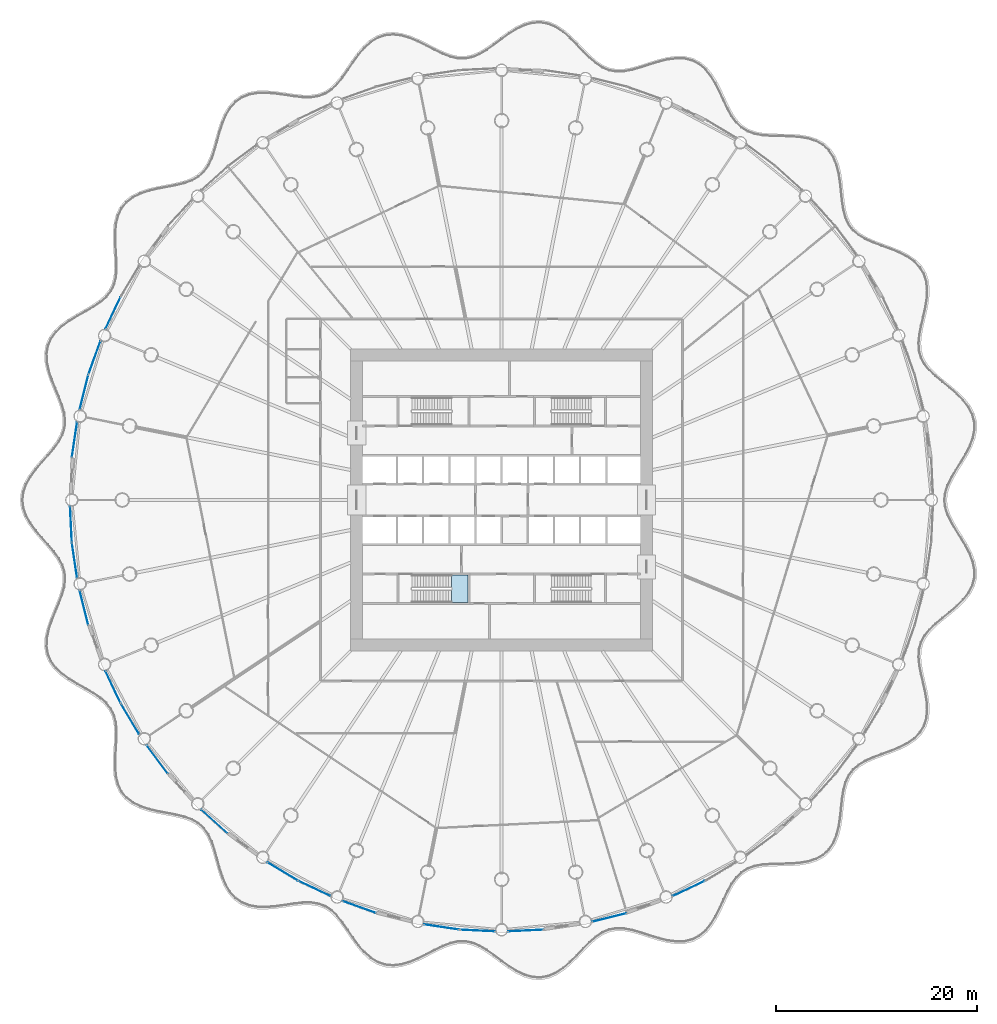
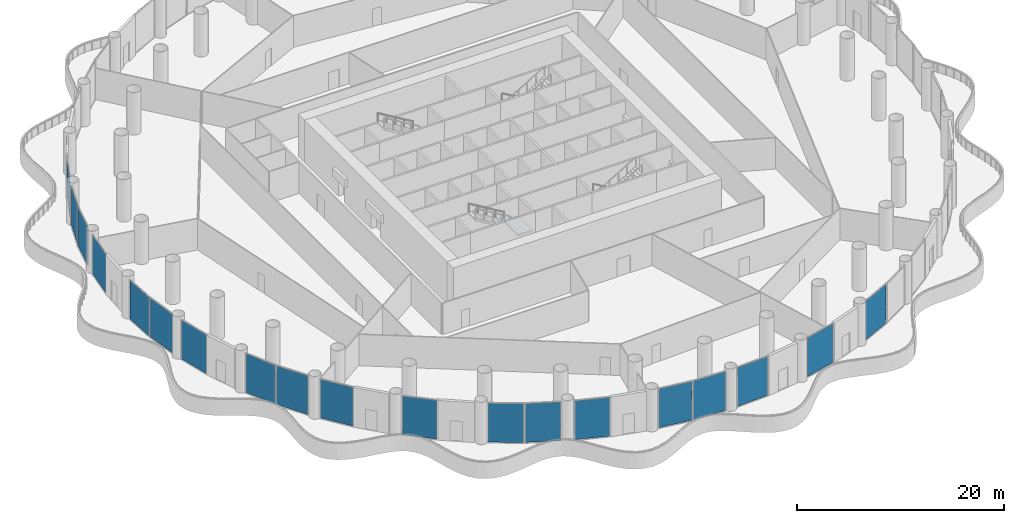
# One storey, part 19 of 35: 19 plates, 1 slab, 20 elements without a shape of their own.
"""IFC4 building model written with IfcOpenShell, lengths in metres."""

import ifcopenshell
import ifcopenshell.guid

model = None  # the IFC model being written
_history = None  # IfcOwnerHistory: only IFC2X3 demands one
_inside = {}  # id of a spatial element -> (the spatial element, [elements in it])
_under = {}  # id of a project, library or spatial element -> (it, [spatial elements below it])
_declared = {}  # id of a project -> (the project, [libraries it declares])
_typed = {}  # id of a type object -> (the type object, [elements of that type])
_made_of = {}  # id of a material, layer set ... -> (it, [elements and type objects made of it])


def new_model(schema):
    """Start an empty IFC model of exactly this schema.

    Asked for "IFC4X3", IfcOpenShell would pick the latest addendum, in which some entities
    have other attributes; the version numbers below select the first issue.
    IFC2X3 requires an IfcOwnerHistory on every rooted entity: one is made here for all.
    """
    global model, _history
    if schema == "IFC4X3":
        model = ifcopenshell.file(schema_version=(4, 3, 0, 0))
    else:
        model = ifcopenshell.file(schema=schema)
    _inside.clear()
    _under.clear()
    _declared.clear()
    _typed.clear()
    _made_of.clear()
    _history = None
    if model.schema == "IFC2X3":
        org = make("IfcOrganization", Name="unknown")
        user = make(
            "IfcPersonAndOrganization",
            ThePerson=make("IfcPerson", FamilyName="unknown"),
            TheOrganization=org,
        )
        app = make(
            "IfcApplication",
            ApplicationDeveloper=org,
            Version="unknown",
            ApplicationFullName="unknown",
            ApplicationIdentifier="unknown",
        )
        _history = make(
            "IfcOwnerHistory",
            OwningUser=user,
            OwningApplication=app,
            ChangeAction="ADDED",
            CreationDate=0,
        )
    return model


def make(cls, **values):
    """One entity of the class cls with the attributes given. An attribute that is None is left unset."""
    return model.create_entity(
        cls, **{name: value for name, value in values.items() if value is not None}
    )


def rooted(cls, **values):
    """An entity with a GlobalId (a new one), such as an element, a storey or a relation."""
    return make(cls, GlobalId=ifcopenshell.guid.new(), OwnerHistory=_history, **values)


def si_unit(unit_type, name, prefix=None):
    """IfcSIUnit, for example si_unit("LENGTHUNIT", "METRE", prefix="MILLI")."""
    return make("IfcSIUnit", UnitType=unit_type, Prefix=prefix, Name=name)


def assignment(units):
    """IfcUnitAssignment: the units of a project."""
    return None if units is None else make("IfcUnitAssignment", Units=units)


def point(xyz):
    """IfcCartesianPoint."""
    return None if xyz is None else make("IfcCartesianPoint", Coordinates=xyz)


def direction(xyz):
    """IfcDirection."""
    return None if xyz is None else make("IfcDirection", DirectionRatios=xyz)


def frame(location, z_axis=None, x_axis=None):
    """IfcAxis2Placement3D, a coordinate frame: its origin and axes. An axis left out is left unset."""
    return make(
        "IfcAxis2Placement3D",
        Location=point(location),
        Axis=direction(z_axis),
        RefDirection=direction(x_axis),
    )


def frame_2d(location, x_axis=None):
    """IfcAxis2Placement2D, a coordinate frame in the plane: its origin and x axis."""
    return make(
        "IfcAxis2Placement2D", Location=point(location), RefDirection=direction(x_axis)
    )


def origin():
    """The frame at (0, 0, 0) with its axes left unset."""
    return frame((0.0, 0.0, 0.0))


def origin_2d():
    """The frame at (0, 0) in the plane with its x axis left unset."""
    return frame_2d((0.0, 0.0))


def place(relative_to, where):
    """IfcLocalPlacement: puts the frame where relative to a parent placement (None: the world)."""
    return make(
        "IfcLocalPlacement", PlacementRelTo=relative_to, RelativePlacement=where
    )


def context(
    kind, dimensions, precision=None, world=None, true_north=None, identifier=None
):
    """IfcGeometricRepresentationContext, for example the 3D "Model" context."""
    return make(
        "IfcGeometricRepresentationContext",
        ContextIdentifier=identifier,
        ContextType=kind,
        CoordinateSpaceDimension=dimensions,
        Precision=precision,
        WorldCoordinateSystem=world,
        TrueNorth=true_north,
    )


def subcontext(parent, identifier, kind, view, scale=None):
    """IfcGeometricRepresentationSubContext, for example "Body" below "Model"."""
    return make(
        "IfcGeometricRepresentationSubContext",
        ContextIdentifier=identifier,
        ContextType=kind,
        ParentContext=parent,
        TargetScale=scale,
        TargetView=view,
    )


def project(units=None, contexts=None):
    """IfcProject with its units and contexts."""
    return rooted(
        "IfcProject",
        Name="project",
        RepresentationContexts=contexts,
        UnitsInContext=assignment(units),
    )


def spatial(cls, under=None, at=None, **own):
    """A site, building, storey or space (cls), placed at a placement, below another one or the project."""
    s = rooted(cls, ObjectPlacement=at, **own)
    if under is not None:
        _under.setdefault(under.id(), (under, []))[1].append(s)
    return s


def polyline(points):
    """IfcPolyline through the points."""
    return make("IfcPolyline", Points=[point(p) for p in points])


def profile(cls, at=None, kind="AREA", **sizes):
    """A parametric profile (cls). Its sizes go by their IFC names, for example OverallWidth=200.0."""
    return make(cls, ProfileType=kind, Position=at, **sizes)


def rectangle(**sizes):
    """IfcRectangleProfileDef."""
    return profile("IfcRectangleProfileDef", **sizes)


def outline(outer, holes=None, kind="AREA"):
    """IfcArbitraryClosedProfileDef: a profile drawn as a closed curve; with holes, ...WithVoids."""
    if holes is None:
        return make("IfcArbitraryClosedProfileDef", ProfileType=kind, OuterCurve=outer)
    return make(
        "IfcArbitraryProfileDefWithVoids",
        ProfileType=kind,
        OuterCurve=outer,
        InnerCurves=holes,
    )


def extrude(swept, where, along, depth):
    """IfcExtrudedAreaSolid: the profile swept, set in the frame where, extruded along a direction by depth."""
    return make(
        "IfcExtrudedAreaSolid",
        SweptArea=swept,
        Position=where,
        ExtrudedDirection=direction(along),
        Depth=depth,
    )


def shape(context_of_items, identifier, shape_type, items):
    """IfcShapeRepresentation: the items that make up one representation, for example the "Body"."""
    return make(
        "IfcShapeRepresentation",
        ContextOfItems=context_of_items,
        RepresentationIdentifier=identifier,
        RepresentationType=shape_type,
        Items=items,
    )


def material(Name=None, Category=None):
    """IfcMaterial."""
    return make("IfcMaterial", Name=Name, Category=Category)


def layer(
    of_material, thickness, ventilated=None, Name=None, Category=None, Priority=None
):
    """IfcMaterialLayer: one layer of a wall or slab, of a material (None: an air gap)."""
    return make(
        "IfcMaterialLayer",
        Material=of_material,
        LayerThickness=thickness,
        IsVentilated=ventilated,
        Name=Name,
        Category=Category,
        Priority=Priority,
    )


def layer_set(layers, Name=None):
    """IfcMaterialLayerSet."""
    return make("IfcMaterialLayerSet", MaterialLayers=layers, LayerSetName=Name)


def made_of(thing, what):
    """Note that an element or type object is made of a material, layer set ...; save() writes the relation."""
    if what is not None:
        _made_of.setdefault(what.id(), (what, []))[1].append(thing)
    return thing


def type_object(cls, material=None, **own):
    """A type object (cls), such as IfcWallType, which elements share."""
    return made_of(rooted(cls, **own), material)


def element(
    cls,
    number,
    at=None,
    inside=None,
    cuts=None,
    type_object=None,
    material=None,
    context=None,
    identifier="Body",
    shape_type=None,
    held_by="IfcProductDefinitionShape",
    body=None,
    shapes=None,
    **own,
):
    """One element of the class cls, such as IfcWall. Its Tag is "e" and its number.

    at: its placement. inside: the storey or other place that contains it. cuts: it is an
    opening in that element (IfcRelVoidsElement). A single representation is given by context,
    identifier, shape_type and body (its items); several are given by shapes. held_by: the class
    of the entity that holds the representations. save() writes the other relations.
    """
    e = rooted(cls, Tag="e%d" % number, ObjectPlacement=at, **own)
    if body is not None:
        shapes = [shape(context, identifier, shape_type, body)]
    if shapes is not None:
        e.Representation = make(held_by, Representations=shapes)
    if inside is not None:
        _inside.setdefault(inside.id(), (inside, []))[1].append(e)
    if cuts is not None:
        rooted(
            "IfcRelVoidsElement", RelatingBuildingElement=cuts, RelatedOpeningElement=e
        )
    if type_object is not None:
        _typed.setdefault(type_object.id(), (type_object, []))[1].append(e)
    return made_of(e, material)


def aggregate(whole, parts):
    """IfcRelAggregates: a whole, such as a stair, and the parts it consists of."""
    return rooted("IfcRelAggregates", RelatingObject=whole, RelatedObjects=parts)


def save(model, path):
    """Write the relations noted so far, then the file.

    IfcRelAggregates (storeys below a building ...), IfcRelContainedInSpatialStructure (elements
    in a storey), IfcRelDefinesByType, IfcRelAssociatesMaterial and IfcRelDeclares: one each for
    every whole, place, type object, material and project.
    """
    for whole, parts in _under.values():
        aggregate(whole, parts)
    for where, things in _inside.values():
        rooted(
            "IfcRelContainedInSpatialStructure",
            RelatedElements=things,
            RelatingStructure=where,
        )
    for kind, things in _typed.values():
        rooted("IfcRelDefinesByType", RelatedObjects=things, RelatingType=kind)
    for what, things in _made_of.values():
        rooted("IfcRelAssociatesMaterial", RelatedObjects=things, RelatingMaterial=what)
    for by, libraries in _declared.values():
        rooted("IfcRelDeclares", RelatingContext=by, RelatedDefinitions=libraries)
    model.write(path)


model = new_model("IFC4")

# Units and contexts
model_context = context("Model", 3, precision=1e-05, world=origin(), true_north=direction((0.0, 1.0)))
body_context = subcontext(model_context, "Body", "Model", "MODEL_VIEW")
ifc_project = project(units=[si_unit("LENGTHUNIT", "METRE"), si_unit("AREAUNIT", "SQUARE_METRE"), si_unit("VOLUMEUNIT", "CUBIC_METRE"), si_unit("PLANEANGLEUNIT", "RADIAN"), si_unit("MASSUNIT", "GRAM", prefix="KILO")], contexts=[model_context])

# Site, building, storey
site_placement = place(None, origin())
site = spatial("IfcSite", under=ifc_project, at=site_placement, CompositionType="ELEMENT")
building_placement = place(site_placement, origin())
building = spatial("IfcBuilding", under=site, at=building_placement, Name="Corvane Civic Tower", CompositionType="ELEMENT")
storey_placement = place(building_placement, frame((0.0, 0.0, 22.0)))
storey = spatial("IfcBuildingStorey", under=building, at=storey_placement, Name="L04", CompositionType="ELEMENT", Elevation=22.0)

# Curtain wall, plate
ifc_material_1 = material(Name="Aluminium and glass", Category="aluminium")
curtain_wall_type = type_object("IfcCurtainWallType", Name="PODIUM-CW-P-RUN", PredefinedType="NOTDEFINED", material=ifc_material_1)
curtain_wall_1_placement = place(storey_placement, origin())
curtain_wall_1 = element("IfcCurtainWall", 1, at=curtain_wall_1_placement, inside=storey, type_object=curtain_wall_type, Name="PODI run L04-drum-14B", PredefinedType="NOTDEFINED")
ifc_material_2 = material(Name="Glass tinted low-e laminated", Category="glass")
ifc_layer_1 = layer(ifc_material_2, 0.031982421875)
ifc_layer_set_1 = layer_set([ifc_layer_1], Name="Glass tinted low-e laminated")
plate_type = type_object("IfcPlateType", Name="PODIUM-CWP-PANEL-IGU32", PredefinedType="CURTAIN_PANEL", material=ifc_layer_set_1)
plate_1_placement = place(storey_placement, frame((18.595458984375, -38.614990234375, 0.06005859375), z_axis=(0.0, 0.0, 1.0), x_axis=(-0.903990222454, -0.42755312852, 0.0)))
plate_1 = element("IfcPlate", 2, at=plate_1_placement, type_object=plate_type, Name="CW-P panel 1.1", PredefinedType="CURTAIN_PANEL", context=body_context, shape_type="SweptSolid", body=[
    extrude(rectangle(XDim=3.4599609375, YDim=0.031982421875, at=origin_2d()), origin(), (0.0, 0.0, 1.0), 4.580078125),
])
aggregate(curtain_wall_1, [plate_1])

curtain_wall_2_placement = place(storey_placement, origin())
curtain_wall_2 = element("IfcCurtainWall", 3, at=curtain_wall_2_placement, inside=storey, type_object=curtain_wall_type, Name="PODI run L04-drum-15B", PredefinedType="NOTDEFINED")
plate_2_placement = place(storey_placement, frame((10.70458984375, -41.5009765625, 0.06005859375), z_axis=(0.0, 0.0, 1.0), x_axis=(-0.970024070659, -0.243008852393, 0.0)))
plate_2 = element("IfcPlate", 4, at=plate_2_placement, type_object=plate_type, Name="CW-P panel 1.1", PredefinedType="CURTAIN_PANEL", context=body_context, shape_type="SweptSolid", body=[
    extrude(rectangle(XDim=3.459716796875, YDim=0.031982421875, at=origin_2d()), origin(), (0.0, 0.0, 1.0), 4.580078125),
])
aggregate(curtain_wall_2, [plate_2])

curtain_wall_3_placement = place(storey_placement, origin())
curtain_wall_3 = element("IfcCurtainWall", 5, at=curtain_wall_3_placement, inside=storey, type_object=curtain_wall_type, Name="PODI run L04-drum-16B", PredefinedType="NOTDEFINED")
plate_3_placement = place(storey_placement, frame((2.402587890625, -42.7919921875, 0.06005859375), z_axis=(0.0, 0.0, 1.0), x_axis=(-0.998796316803, -0.04905015332, 0.0)))
plate_3 = element("IfcPlate", 6, at=plate_3_placement, type_object=plate_type, Name="CW-P panel 1.1", PredefinedType="CURTAIN_PANEL", context=body_context, shape_type="SweptSolid", body=[
    extrude(rectangle(XDim=3.4599609375, YDim=0.031982421875, at=origin_2d()), origin(), (0.0, 0.0, 1.0), 4.580078125),
])
aggregate(curtain_wall_3, [plate_3])

curtain_wall_4_placement = place(storey_placement, origin())
curtain_wall_4 = element("IfcCurtainWall", 7, at=curtain_wall_4_placement, inside=storey, type_object=curtain_wall_type, Name="PODI run L04-drum-17A", PredefinedType="NOTDEFINED")
plate_4_placement = place(storey_placement, frame((-2.402587890625, -42.7919921875, 0.06005859375), z_axis=(0.0, 0.0, 1.0), x_axis=(-0.998796316803, 0.04905015332, 0.0)))
plate_4 = element("IfcPlate", 8, at=plate_4_placement, type_object=plate_type, Name="CW-P panel 1.1", PredefinedType="CURTAIN_PANEL", context=body_context, shape_type="SweptSolid", body=[
    extrude(rectangle(XDim=3.4599609375, YDim=0.031982421875, at=origin_2d()), origin(), (0.0, 0.0, 1.0), 4.580078125),
])
aggregate(curtain_wall_4, [plate_4])

curtain_wall_5_placement = place(storey_placement, origin())
curtain_wall_5 = element("IfcCurtainWall", 9, at=curtain_wall_5_placement, inside=storey, type_object=curtain_wall_type, Name="PODI run L04-drum-17B", PredefinedType="NOTDEFINED")
plate_5_placement = place(storey_placement, frame((-5.991943359375, -42.4384765625, 0.06005859375), z_axis=(0.0, 0.0, 1.0), x_axis=(-0.989178850608, 0.146714694252, 0.0)))
plate_5 = element("IfcPlate", 10, at=plate_5_placement, type_object=plate_type, Name="CW-P panel 1.1", PredefinedType="CURTAIN_PANEL", context=body_context, shape_type="SweptSolid", body=[
    extrude(rectangle(XDim=3.459716796875, YDim=0.031982421875, at=origin_2d()), origin(), (0.0, 0.0, 1.0), 4.580078125),
])
aggregate(curtain_wall_5, [plate_5])

curtain_wall_6_placement = place(storey_placement, origin())
curtain_wall_6 = element("IfcCurtainWall", 11, at=curtain_wall_6_placement, inside=storey, type_object=curtain_wall_type, Name="PODI run L04-drum-18B", PredefinedType="NOTDEFINED")
plate_6_placement = place(storey_placement, frame((-14.156005859375, -40.453857421875, 0.06005859375), z_axis=(0.0, 0.0, 1.0), x_axis=(-0.941533802561, 0.336918534123, 0.0)))
plate_6 = element("IfcPlate", 12, at=plate_6_placement, type_object=plate_type, Name="CW-P panel 1.1", PredefinedType="CURTAIN_PANEL", context=body_context, shape_type="SweptSolid", body=[
    extrude(rectangle(XDim=3.459716796875, YDim=0.031982421875, at=origin_2d()), origin(), (0.0, 0.0, 1.0), 4.580078125),
])
aggregate(curtain_wall_6, [plate_6])

curtain_wall_7_placement = place(storey_placement, origin())
curtain_wall_7 = element("IfcCurtainWall", 13, at=curtain_wall_7_placement, inside=storey, type_object=curtain_wall_type, Name="PODI run L04-drum-19A", PredefinedType="NOTDEFINED")
plate_7_placement = place(storey_placement, frame((-18.595458984375, -38.614990234375, 0.06005859375), z_axis=(0.0, 0.0, 1.0), x_axis=(-0.903990222454, 0.42755312852, 0.0)))
plate_7 = element("IfcPlate", 14, at=plate_7_placement, type_object=plate_type, Name="CW-P panel 1.1", PredefinedType="CURTAIN_PANEL", context=body_context, shape_type="SweptSolid", body=[
    extrude(rectangle(XDim=3.4599609375, YDim=0.031982421875, at=origin_2d()), origin(), (0.0, 0.0, 1.0), 4.580078125),
])
aggregate(curtain_wall_7, [plate_7])

curtain_wall_8_placement = place(storey_placement, origin())
curtain_wall_8 = element("IfcCurtainWall", 15, at=curtain_wall_8_placement, inside=storey, type_object=curtain_wall_type, Name="PODI run L04-drum-19B", PredefinedType="NOTDEFINED")
plate_8_placement = place(storey_placement, frame((-21.776123046875, -36.914794921875, 0.06005859375), z_axis=(0.0, 0.0, 1.0), x_axis=(-0.857719609779, 0.514117759857, 0.0)))
plate_8 = element("IfcPlate", 16, at=plate_8_placement, type_object=plate_type, Name="CW-P panel 1.1", PredefinedType="CURTAIN_PANEL", context=body_context, shape_type="SweptSolid", body=[
    extrude(rectangle(XDim=3.459716796875, YDim=0.031982421875, at=origin_2d()), origin(), (0.0, 0.0, 1.0), 4.580078125),
])
aggregate(curtain_wall_8, [plate_8])

curtain_wall_9_placement = place(storey_placement, origin())
curtain_wall_9 = element("IfcCurtainWall", 17, at=curtain_wall_9_placement, inside=storey, type_object=curtain_wall_type, Name="PODI run L04-drum-20B", PredefinedType="NOTDEFINED")
plate_9_placement = place(storey_placement, frame((-28.5595703125, -31.957275390625, 0.06005859375), z_axis=(0.0, 0.0, 1.0), x_axis=(-0.740935261089, 0.671576457952, 0.0)))
plate_9 = element("IfcPlate", 18, at=plate_9_placement, type_object=plate_type, Name="CW-P panel 1.1", PredefinedType="CURTAIN_PANEL", context=body_context, shape_type="SweptSolid", body=[
    extrude(rectangle(XDim=3.4599609375, YDim=0.031982421875, at=origin_2d()), origin(), (0.0, 0.0, 1.0), 4.580078125),
])
aggregate(curtain_wall_9, [plate_9])

curtain_wall_10_placement = place(storey_placement, origin())
curtain_wall_10 = element("IfcCurtainWall", 19, at=curtain_wall_10_placement, inside=storey, type_object=curtain_wall_type, Name="PODI run L04-drum-21B", PredefinedType="NOTDEFINED")
plate_10_placement = place(storey_placement, frame((-34.245361328125, -25.771484375, 0.06005859375), z_axis=(0.0, 0.0, 1.0), x_axis=(-0.595705104665, 0.803203229747, 0.0)))
plate_10 = element("IfcPlate", 20, at=plate_10_placement, type_object=plate_type, Name="CW-P panel 1.1", PredefinedType="CURTAIN_PANEL", context=body_context, shape_type="SweptSolid", body=[
    extrude(rectangle(XDim=3.459716796875, YDim=0.031982421875, at=origin_2d()), origin(), (0.0, 0.0, 1.0), 4.580078125),
])
aggregate(curtain_wall_10, [plate_10])

curtain_wall_11_placement = place(storey_placement, origin())
curtain_wall_11 = element("IfcCurtainWall", 21, at=curtain_wall_11_placement, inside=storey, type_object=curtain_wall_type, Name="PODI run L04-drum-22A", PredefinedType="NOTDEFINED")
plate_11_placement = place(storey_placement, frame((-36.914794921875, -21.776123046875, 0.06005859375), z_axis=(0.0, 0.0, 1.0), x_axis=(-0.514117759857, 0.857719609779, 0.0)))
plate_11 = element("IfcPlate", 22, at=plate_11_placement, type_object=plate_type, Name="CW-P panel 1.1", PredefinedType="CURTAIN_PANEL", context=body_context, shape_type="SweptSolid", body=[
    extrude(rectangle(XDim=3.459716796875, YDim=0.031982421875, at=origin_2d()), origin(), (0.0, 0.0, 1.0), 4.580078125),
])
aggregate(curtain_wall_11, [plate_11])

curtain_wall_12_placement = place(storey_placement, origin())
curtain_wall_12 = element("IfcCurtainWall", 23, at=curtain_wall_12_placement, inside=storey, type_object=curtain_wall_type, Name="PODI run L04-drum-22B", PredefinedType="NOTDEFINED")
plate_12_placement = place(storey_placement, frame((-38.614990234375, -18.595458984375, 0.06005859375), z_axis=(0.0, 0.0, 1.0), x_axis=(-0.42755312852, 0.903990222454, 0.0)))
plate_12 = element("IfcPlate", 24, at=plate_12_placement, type_object=plate_type, Name="CW-P panel 1.1", PredefinedType="CURTAIN_PANEL", context=body_context, shape_type="SweptSolid", body=[
    extrude(rectangle(XDim=3.4599609375, YDim=0.031982421875, at=origin_2d()), origin(), (0.0, 0.0, 1.0), 4.580078125),
])
aggregate(curtain_wall_12, [plate_12])

curtain_wall_13_placement = place(storey_placement, origin())
curtain_wall_13 = element("IfcCurtainWall", 25, at=curtain_wall_13_placement, inside=storey, type_object=curtain_wall_type, Name="PODI run L04-drum-23B", PredefinedType="NOTDEFINED")
plate_13_placement = place(storey_placement, frame((-41.5009765625, -10.70458984375, 0.06005859375), z_axis=(0.0, 0.0, 1.0), x_axis=(-0.243008852393, 0.970024070659, 0.0)))
plate_13 = element("IfcPlate", 26, at=plate_13_placement, type_object=plate_type, Name="CW-P panel 1.1", PredefinedType="CURTAIN_PANEL", context=body_context, shape_type="SweptSolid", body=[
    extrude(rectangle(XDim=3.459716796875, YDim=0.031982421875, at=origin_2d()), origin(), (0.0, 0.0, 1.0), 4.580078125),
])
aggregate(curtain_wall_13, [plate_13])

curtain_wall_14_placement = place(storey_placement, origin())
curtain_wall_14 = element("IfcCurtainWall", 27, at=curtain_wall_14_placement, inside=storey, type_object=curtain_wall_type, Name="PODI run L04-drum-24A", PredefinedType="NOTDEFINED")
plate_14_placement = place(storey_placement, frame((-42.4384765625, -5.991943359375, 0.06005859375), z_axis=(0.0, 0.0, 1.0), x_axis=(-0.146714694252, 0.989178850608, 0.0)))
plate_14 = element("IfcPlate", 28, at=plate_14_placement, type_object=plate_type, Name="CW-P panel 1.1", PredefinedType="CURTAIN_PANEL", context=body_context, shape_type="SweptSolid", body=[
    extrude(rectangle(XDim=3.459716796875, YDim=0.031982421875, at=origin_2d()), origin(), (0.0, 0.0, 1.0), 4.580078125),
])
aggregate(curtain_wall_14, [plate_14])

curtain_wall_15_placement = place(storey_placement, origin())
curtain_wall_15 = element("IfcCurtainWall", 29, at=curtain_wall_15_placement, inside=storey, type_object=curtain_wall_type, Name="PODI run L04-drum-24B", PredefinedType="NOTDEFINED")
plate_15_placement = place(storey_placement, frame((-42.7919921875, -2.402587890625, 0.06005859375), z_axis=(0.0, 0.0, 1.0), x_axis=(-0.04905015332, 0.998796316803, 0.0)))
plate_15 = element("IfcPlate", 30, at=plate_15_placement, type_object=plate_type, Name="CW-P panel 1.1", PredefinedType="CURTAIN_PANEL", context=body_context, shape_type="SweptSolid", body=[
    extrude(rectangle(XDim=3.4599609375, YDim=0.031982421875, at=origin_2d()), origin(), (0.0, 0.0, 1.0), 4.580078125),
])
aggregate(curtain_wall_15, [plate_15])

curtain_wall_16_placement = place(storey_placement, origin())
curtain_wall_16 = element("IfcCurtainWall", 31, at=curtain_wall_16_placement, inside=storey, type_object=curtain_wall_type, Name="PODI run L04-drum-25B", PredefinedType="NOTDEFINED")
plate_16_placement = place(storey_placement, frame((-42.4384765625, 5.991943359375, 0.06005859375), z_axis=(0.0, 0.0, 1.0), x_axis=(0.146714694252, 0.989178850608, 0.0)))
plate_16 = element("IfcPlate", 32, at=plate_16_placement, type_object=plate_type, Name="CW-P panel 1.1", PredefinedType="CURTAIN_PANEL", context=body_context, shape_type="SweptSolid", body=[
    extrude(rectangle(XDim=3.459716796875, YDim=0.031982421875, at=origin_2d()), origin(), (0.0, 0.0, 1.0), 4.580078125),
])
aggregate(curtain_wall_16, [plate_16])

curtain_wall_17_placement = place(storey_placement, origin())
curtain_wall_17 = element("IfcCurtainWall", 33, at=curtain_wall_17_placement, inside=storey, type_object=curtain_wall_type, Name="PODI run L04-drum-26A", PredefinedType="NOTDEFINED")
plate_17_placement = place(storey_placement, frame((-41.5009765625, 10.70458984375, 0.06005859375), z_axis=(0.0, 0.0, 1.0), x_axis=(0.243008852393, 0.970024070659, 0.0)))
plate_17 = element("IfcPlate", 34, at=plate_17_placement, type_object=plate_type, Name="CW-P panel 1.1", PredefinedType="CURTAIN_PANEL", context=body_context, shape_type="SweptSolid", body=[
    extrude(rectangle(XDim=3.459716796875, YDim=0.031982421875, at=origin_2d()), origin(), (0.0, 0.0, 1.0), 4.580078125),
])
aggregate(curtain_wall_17, [plate_17])

curtain_wall_18_placement = place(storey_placement, origin())
curtain_wall_18 = element("IfcCurtainWall", 35, at=curtain_wall_18_placement, inside=storey, type_object=curtain_wall_type, Name="PODI run L04-drum-26B", PredefinedType="NOTDEFINED")
plate_18_placement = place(storey_placement, frame((-40.453857421875, 14.156005859375, 0.06005859375), z_axis=(0.0, 0.0, 1.0), x_axis=(0.336918534123, 0.941533802561, 0.0)))
plate_18 = element("IfcPlate", 36, at=plate_18_placement, type_object=plate_type, Name="CW-P panel 1.1", PredefinedType="CURTAIN_PANEL", context=body_context, shape_type="SweptSolid", body=[
    extrude(rectangle(XDim=3.459716796875, YDim=0.031982421875, at=origin_2d()), origin(), (0.0, 0.0, 1.0), 4.580078125),
])
aggregate(curtain_wall_18, [plate_18])

curtain_wall_19_placement = place(storey_placement, origin())
curtain_wall_19 = element("IfcCurtainWall", 37, at=curtain_wall_19_placement, inside=storey, type_object=curtain_wall_type, Name="PODI run L04-drum-27A", PredefinedType="NOTDEFINED")
plate_19_placement = place(storey_placement, frame((-38.614990234375, 18.595458984375, 0.06005859375), z_axis=(0.0, 0.0, 1.0), x_axis=(0.42755312852, 0.903990222454, 0.0)))
plate_19 = element("IfcPlate", 38, at=plate_19_placement, type_object=plate_type, Name="CW-P panel 1.1", PredefinedType="CURTAIN_PANEL", context=body_context, shape_type="SweptSolid", body=[
    extrude(rectangle(XDim=3.4599609375, YDim=0.031982421875, at=origin_2d()), origin(), (0.0, 0.0, 1.0), 4.580078125),
])
aggregate(curtain_wall_19, [plate_19])

# Stair, slab
ifc_material_3 = material(Name="Concrete C40/50", Category="concrete")
stair_type = type_object("IfcStairType", Name="ST-STAIR-HALFTURN", PredefinedType="HALF_TURN_STAIR", material=ifc_material_3)
stair_placement = place(storey_placement, origin())
stair = element("IfcStair", 39, at=stair_placement, inside=storey, type_object=stair_type, Name="L04 Exit stair ST3", PredefinedType="HALF_TURN_STAIR")
ifc_material_4 = material(Name="Concrete C40/50", Category="concrete")
ifc_layer_2 = layer(ifc_material_4, 0.199951171875)
ifc_layer_set_2 = layer_set([ifc_layer_2], Name="Concrete C40/50")
slab_type = type_object("IfcSlabType", Name="ST-LANDING-RC", PredefinedType="LANDING", material=ifc_layer_set_2)
slab_placement = place(storey_placement, frame((0.0, 0.0, 2.300048828125)))
slab = element("IfcSlab", 40, at=slab_placement, type_object=slab_type, Name="ST3 landing 1", PredefinedType="LANDING", context=body_context, shape_type="SweptSolid", body=[
    extrude(outline(polyline([(-4.97998046875, -10.199951171875), (-3.35009765625, -10.199951171875), (-3.35009765625, -7.449951171875), (-4.97998046875, -7.449951171875), (-4.97998046875, -10.199951171875)])), origin(), (0.0, 0.0, 1.0), 0.199951171875),
])
aggregate(stair, [slab])

save(model, "model.ifc")
